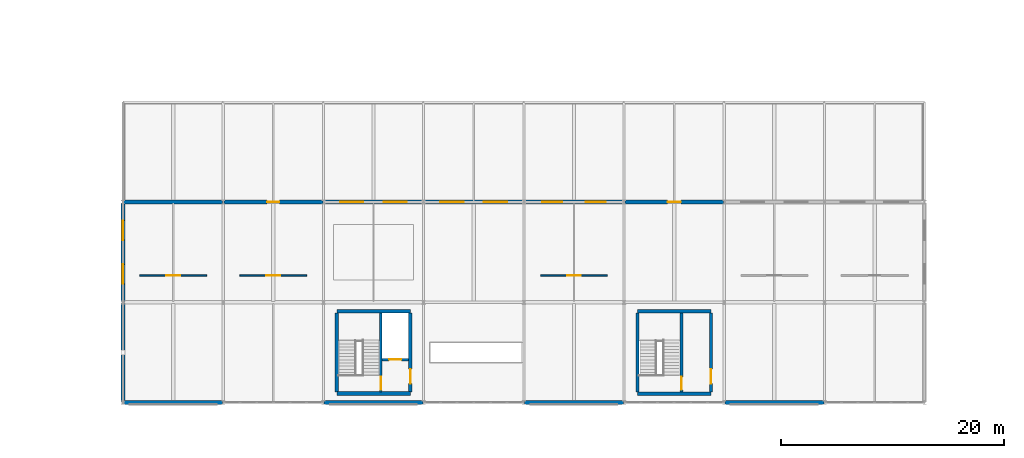
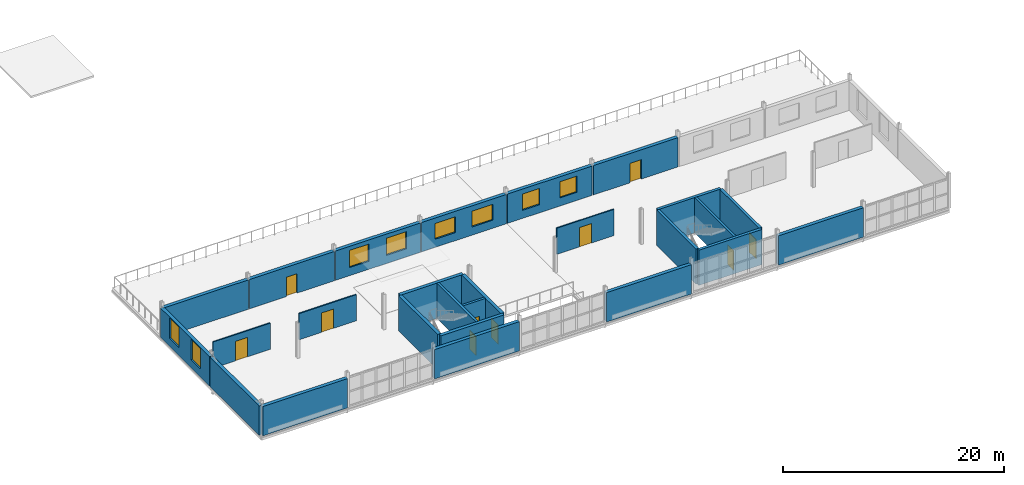
# One storey, part 98 of 123: 26 walls, 10 doors, 8 windows, 18 openings.
"""IFC4 building model written with IfcOpenShell, lengths in metres."""

from ifc_helpers import new_model, si_unit, direction, frame, frame_2d, origin, place, context, subcontext, project, spatial, rectangle, extrude, material, layer, layer_set, type_object, element, fill, save


model = new_model("IFC4")

# Units and contexts
model_context = context("Model", 3, precision=1e-05, world=origin(), true_north=direction((0.0, 1.0)))
body_context = subcontext(model_context, "Body", "Model", "MODEL_VIEW")
ifc_project = project(units=[si_unit("LENGTHUNIT", "METRE"), si_unit("AREAUNIT", "SQUARE_METRE"), si_unit("VOLUMEUNIT", "CUBIC_METRE"), si_unit("PLANEANGLEUNIT", "RADIAN"), si_unit("MASSUNIT", "GRAM", prefix="KILO")], contexts=[model_context])

# Site, building, storey
site_placement = place(None, origin())
site = spatial("IfcSite", under=ifc_project, at=site_placement, CompositionType="ELEMENT")
building_placement = place(site_placement, origin())
building = spatial("IfcBuilding", under=site, at=building_placement, Name="Kildeholm Park Wholesale Market", CompositionType="ELEMENT")
storey_placement = place(building_placement, frame((0.0, 0.0, 9.60009765625)))
storey = spatial("IfcBuildingStorey", under=building, at=storey_placement, Name="L02", CompositionType="ELEMENT", Elevation=9.60009765625)

# Walls
ifc_material_1 = material(Name="Red Danish clinker brick masonry with Concrete C35/45 backing", Category="masonry")
ifc_layer_1 = layer(ifc_material_1, 0.360107421875)
ifc_layer_set_1 = layer_set([ifc_layer_1], Name="Red Danish clinker brick masonry with Concrete C35/45 backing")
wall_type_1 = type_object("IfcWallType", Name="Exterior wall W-EX1 360 mm", PredefinedType="SOLIDWALL", material=ifc_layer_set_1)
for number, where, z_axis, x_axis, name in (
    (1, (9.06005859375, 0.0, 0.0), (0.0, 0.0, 1.0), (1.0, 0.0, 0.0), "Exterior wall V5W-L02-S01.1 WL-0535"),
    (2, (27.06005859375, 0.0, 0.0), (0.0, 0.0, 1.0), (1.0, 0.0, 0.0), "Exterior wall V5W-L02-S03.1 WL-0536"),
    (3, (45.06005859375, 0.0, 0.0), (0.0, 0.0, 1.0), (1.0, 0.0, 0.0), "Exterior wall V5W-L02-S05.1 WL-0537"),
    (4, (63.06005859375, 0.0, 0.0), (0.0, 0.0, 1.0), (1.0, 0.0, 0.0), "Exterior wall V5W-L02-S07.1 WL-0538"),
    (5, (9.06005859375, 18.0, 0.0), (0.0, 0.0, 1.0), (1.0, 0.0, 0.0), "Exterior wall V5W-L02-N.1 WL-0539"),
):
    element("IfcWall", number, at=place(storey_placement, frame(where, z_axis=z_axis, x_axis=x_axis)), inside=storey, type_object=wall_type_1, Name=name, PredefinedType="SOLIDWALL", context=body_context, shape_type="SweptSolid", body=[
        extrude(rectangle(XDim=8.8798828125, YDim=0.360107421875, at=frame_2d((4.43994140625, 0.0))), origin(), (0.0, 0.0, 1.0), 3.25),
    ])

# Wall, opening, door
wall_1_placement = place(storey_placement, frame((18.06005859375, 18.0, 0.0), z_axis=(0.0, 0.0, 1.0), x_axis=(1.0, 0.0, 0.0)))
wall_1 = element("IfcWall", 6, at=wall_1_placement, inside=storey, type_object=wall_type_1, Name="Exterior wall V5W-L02-N.2 WL-0540", PredefinedType="SOLIDWALL", context=body_context, shape_type="SweptSolid", body=[
    extrude(rectangle(XDim=8.8798828125, YDim=0.360107421875, at=frame_2d((4.43994140625, 0.0))), origin(), (0.0, 0.0, 1.0), 3.25),
])
opening_1_placement = place(wall_1_placement, frame((3.889892578125, 0.0, 0.0)))
opening_1 = element("IfcOpeningElement", 7, at=opening_1_placement, cuts=wall_1, Name="Opening D-EX06", PredefinedType="OPENING", context=body_context, shape_type="SweptSolid", body=[
    extrude(rectangle(XDim=1.10009765625, YDim=2.14990234375, at=frame_2d((0.550048828125, 1.074951171875))), frame((0.0, 0.18994140625, 0.0), z_axis=(0.0, -1.0, 0.0), x_axis=(1.0, 0.0, 0.0)), (0.0, 0.0, 1.0), 0.380126953125),
])
ifc_material_2 = material(Name="Anodised aluminium terrace doorset", Category="aluminium")
door_type_1 = type_object("IfcDoorType", Name="Exterior door D-EX06 1100x2150", OperationType="NOTDEFINED", PredefinedType="DOOR", material=ifc_material_2)
door_1_placement = place(opening_1_placement, origin())
door_1 = element("IfcDoor", 8, at=door_1_placement, inside=storey, type_object=door_type_1, Name="Door V5W-L02-N.2 DR-0057 WL-0540", OperationType="SINGLE_SWING_LEFT", OverallHeight=2.14990234375, OverallWidth=1.10009765625, PredefinedType="DOOR", context=body_context, shape_type="SweptSolid", body=[
    extrude(rectangle(XDim=1.10009765625, YDim=2.14990234375, at=frame_2d((0.550048828125, 1.074951171875))), frame((0.0, 0.02490234375, 0.0), z_axis=(0.0, -1.0, 0.0), x_axis=(1.0, 0.0, 0.0)), (0.0, 0.0, 1.0), 0.050048828125),
])
fill(opening_1, door_1)

# Wall, openings, windows
wall_2_placement = place(storey_placement, frame((27.06005859375, 18.0, 0.0), z_axis=(0.0, 0.0, 1.0), x_axis=(1.0, 0.0, 0.0)))
wall_2 = element("IfcWall", 9, at=wall_2_placement, inside=storey, type_object=wall_type_1, Name="Exterior wall V5W-L02-N.3 WL-0541", PredefinedType="SOLIDWALL", context=body_context, shape_type="SweptSolid", body=[
    extrude(rectangle(XDim=8.8798828125, YDim=0.360107421875, at=frame_2d((4.43994140625, 0.0))), origin(), (0.0, 0.0, 1.0), 3.25),
])
opening_2_placement = place(wall_2_placement, frame((1.4609375, 0.0, 0.89990234375)))
opening_2 = element("IfcOpeningElement", 10, at=opening_2_placement, cuts=wall_2, Name="Opening WN-31", PredefinedType="OPENING", context=body_context, shape_type="SweptSolid", body=[
    extrude(rectangle(XDim=2.050048828125, YDim=1.89990234375, at=frame_2d((1.02490234375, 0.949951171875))), frame((0.0, 0.18994140625, 0.0), z_axis=(0.0, -1.0, 0.0), x_axis=(1.0, 0.0, 0.0)), (0.0, 0.0, 1.0), 0.380126953125),
])
opening_3_placement = place(wall_2_placement, frame((5.368896484375, 0.0, 0.89990234375)))
opening_3 = element("IfcOpeningElement", 11, at=opening_3_placement, cuts=wall_2, Name="Opening WN-31", PredefinedType="OPENING", context=body_context, shape_type="SweptSolid", body=[
    extrude(rectangle(XDim=2.050048828125, YDim=1.89990234375, at=frame_2d((1.02490234375, 0.949951171875))), frame((0.0, 0.18994140625, 0.0), z_axis=(0.0, -1.0, 0.0), x_axis=(1.0, 0.0, 0.0)), (0.0, 0.0, 1.0), 0.380126953125),
])
ifc_material_3 = material(Name="Thermally broken aluminium and triple-glazed low-E glass", Category="aluminium")
window_type_1 = type_object("IfcWindowType", Name="Window WN-31 2050x1900", PartitioningType="TRIPLE_PANEL_VERTICAL", PredefinedType="WINDOW", material=ifc_material_3)
window_1_placement = place(opening_2_placement, origin())
window_1 = element("IfcWindow", 12, at=window_1_placement, inside=storey, type_object=window_type_1, Name="Window V5W-L02-N.3.1 WIN-0325", OverallHeight=1.89990234375, OverallWidth=2.050048828125, PartitioningType="SINGLE_PANEL", PredefinedType="WINDOW", context=body_context, shape_type="SweptSolid", body=[
    extrude(rectangle(XDim=2.050048828125, YDim=1.89990234375, at=frame_2d((1.02490234375, 0.949951171875))), frame((0.0, 0.030029296875, 0.0), z_axis=(0.0, -1.0, 0.0), x_axis=(1.0, 0.0, 0.0)), (0.0, 0.0, 1.0), 0.06005859375),
])
fill(opening_2, window_1)
window_2_placement = place(opening_3_placement, origin())
window_2 = element("IfcWindow", 13, at=window_2_placement, inside=storey, type_object=window_type_1, Name="Window V5W-L02-N.3.2 WIN-0326", OverallHeight=1.89990234375, OverallWidth=2.050048828125, PartitioningType="SINGLE_PANEL", PredefinedType="WINDOW", context=body_context, shape_type="SweptSolid", body=[
    extrude(rectangle(XDim=2.050048828125, YDim=1.89990234375, at=frame_2d((1.02490234375, 0.949951171875))), frame((0.0, 0.030029296875, 0.0), z_axis=(0.0, -1.0, 0.0), x_axis=(1.0, 0.0, 0.0)), (0.0, 0.0, 1.0), 0.06005859375),
])
fill(opening_3, window_2)

wall_3_placement = place(storey_placement, frame((36.06005859375, 18.0, 0.0), z_axis=(0.0, 0.0, 1.0), x_axis=(1.0, 0.0, 0.0)))
wall_3 = element("IfcWall", 14, at=wall_3_placement, inside=storey, type_object=wall_type_1, Name="Exterior wall V5W-L02-N.4 WL-0542", PredefinedType="SOLIDWALL", context=body_context, shape_type="SweptSolid", body=[
    extrude(rectangle(XDim=8.8798828125, YDim=0.360107421875, at=frame_2d((4.43994140625, 0.0))), origin(), (0.0, 0.0, 1.0), 3.25),
])
opening_4_placement = place(wall_3_placement, frame((1.410888671875, 0.0, 0.89990234375)))
opening_4 = element("IfcOpeningElement", 15, at=opening_4_placement, cuts=wall_3, Name="Opening WN-32", PredefinedType="OPENING", context=body_context, shape_type="SweptSolid", body=[
    extrude(rectangle(XDim=2.14990234375, YDim=1.75, at=frame_2d((1.074951171875, 0.875))), frame((0.0, 0.18994140625, 0.0), z_axis=(0.0, -1.0, 0.0), x_axis=(1.0, 0.0, 0.0)), (0.0, 0.0, 1.0), 0.380126953125),
])
opening_5_placement = place(wall_3_placement, frame((5.319091796875, 0.0, 0.89990234375)))
opening_5 = element("IfcOpeningElement", 16, at=opening_5_placement, cuts=wall_3, Name="Opening WN-32", PredefinedType="OPENING", context=body_context, shape_type="SweptSolid", body=[
    extrude(rectangle(XDim=2.14990234375, YDim=1.75, at=frame_2d((1.074951171875, 0.875))), frame((0.0, 0.18994140625, 0.0), z_axis=(0.0, -1.0, 0.0), x_axis=(1.0, 0.0, 0.0)), (0.0, 0.0, 1.0), 0.380126953125),
])
window_type_2 = type_object("IfcWindowType", Name="Window WN-32 2150x1750", PartitioningType="TRIPLE_PANEL_VERTICAL", PredefinedType="WINDOW", material=ifc_material_3)
window_3_placement = place(opening_4_placement, origin())
window_3 = element("IfcWindow", 17, at=window_3_placement, inside=storey, type_object=window_type_2, Name="Window V5W-L02-N.4.1 WIN-0327", OverallHeight=1.75, OverallWidth=2.14990234375, PartitioningType="SINGLE_PANEL", PredefinedType="WINDOW", context=body_context, shape_type="SweptSolid", body=[
    extrude(rectangle(XDim=2.14990234375, YDim=1.75, at=frame_2d((1.074951171875, 0.875))), frame((0.0, 0.030029296875, 0.0), z_axis=(0.0, -1.0, 0.0), x_axis=(1.0, 0.0, 0.0)), (0.0, 0.0, 1.0), 0.06005859375),
])
fill(opening_4, window_3)
window_4_placement = place(opening_5_placement, origin())
window_4 = element("IfcWindow", 18, at=window_4_placement, inside=storey, type_object=window_type_2, Name="Window V5W-L02-N.4.2 WIN-0328", OverallHeight=1.75, OverallWidth=2.14990234375, PartitioningType="SINGLE_PANEL", PredefinedType="WINDOW", context=body_context, shape_type="SweptSolid", body=[
    extrude(rectangle(XDim=2.14990234375, YDim=1.75, at=frame_2d((1.074951171875, 0.875))), frame((0.0, 0.030029296875, 0.0), z_axis=(0.0, -1.0, 0.0), x_axis=(1.0, 0.0, 0.0)), (0.0, 0.0, 1.0), 0.06005859375),
])
fill(opening_5, window_4)

wall_4_placement = place(storey_placement, frame((45.06005859375, 18.0, 0.0), z_axis=(0.0, 0.0, 1.0), x_axis=(1.0, 0.0, 0.0)))
wall_4 = element("IfcWall", 19, at=wall_4_placement, inside=storey, type_object=wall_type_1, Name="Exterior wall V5W-L02-N.5 WL-0543", PredefinedType="SOLIDWALL", context=body_context, shape_type="SweptSolid", body=[
    extrude(rectangle(XDim=8.8798828125, YDim=0.360107421875, at=frame_2d((4.43994140625, 0.0))), origin(), (0.0, 0.0, 1.0), 3.25),
])
opening_6_placement = place(wall_4_placement, frame((1.5859375, 0.0, 0.89990234375)))
opening_6 = element("IfcOpeningElement", 20, at=opening_6_placement, cuts=wall_4, Name="Opening WN-07", PredefinedType="OPENING", context=body_context, shape_type="SweptSolid", body=[
    extrude(rectangle(XDim=1.800048828125, YDim=1.800048828125, at=frame_2d((0.89990234375, 0.89990234375))), frame((0.0, 0.18994140625, 0.0), z_axis=(0.0, -1.0, 0.0), x_axis=(1.0, 0.0, 0.0)), (0.0, 0.0, 1.0), 0.380126953125),
])
opening_7_placement = place(wall_4_placement, frame((5.493896484375, 0.0, 0.89990234375)))
opening_7 = element("IfcOpeningElement", 21, at=opening_7_placement, cuts=wall_4, Name="Opening WN-07", PredefinedType="OPENING", context=body_context, shape_type="SweptSolid", body=[
    extrude(rectangle(XDim=1.800048828125, YDim=1.800048828125, at=frame_2d((0.89990234375, 0.89990234375))), frame((0.0, 0.18994140625, 0.0), z_axis=(0.0, -1.0, 0.0), x_axis=(1.0, 0.0, 0.0)), (0.0, 0.0, 1.0), 0.380126953125),
])
window_type_3 = type_object("IfcWindowType", Name="Window WN-07 1800x1800", PartitioningType="DOUBLE_PANEL_VERTICAL", PredefinedType="WINDOW", material=ifc_material_3)
window_5_placement = place(opening_6_placement, origin())
window_5 = element("IfcWindow", 22, at=window_5_placement, inside=storey, type_object=window_type_3, Name="Window V5W-L02-N.5.1 WIN-0329", OverallHeight=1.800048828125, OverallWidth=1.800048828125, PartitioningType="SINGLE_PANEL", PredefinedType="WINDOW", context=body_context, shape_type="SweptSolid", body=[
    extrude(rectangle(XDim=1.800048828125, YDim=1.800048828125, at=frame_2d((0.89990234375, 0.89990234375))), frame((0.0, 0.030029296875, 0.0), z_axis=(0.0, -1.0, 0.0), x_axis=(1.0, 0.0, 0.0)), (0.0, 0.0, 1.0), 0.06005859375),
])
fill(opening_6, window_5)
window_6_placement = place(opening_7_placement, origin())
window_6 = element("IfcWindow", 23, at=window_6_placement, inside=storey, type_object=window_type_3, Name="Window V5W-L02-N.5.2 WIN-0330", OverallHeight=1.800048828125, OverallWidth=1.800048828125, PartitioningType="SINGLE_PANEL", PredefinedType="WINDOW", context=body_context, shape_type="SweptSolid", body=[
    extrude(rectangle(XDim=1.800048828125, YDim=1.800048828125, at=frame_2d((0.89990234375, 0.89990234375))), frame((0.0, 0.030029296875, 0.0), z_axis=(0.0, -1.0, 0.0), x_axis=(1.0, 0.0, 0.0)), (0.0, 0.0, 1.0), 0.06005859375),
])
fill(opening_7, window_6)

# Wall, opening, door
wall_5_placement = place(storey_placement, frame((54.06005859375, 18.0, 0.0), z_axis=(0.0, 0.0, 1.0), x_axis=(1.0, 0.0, 0.0)))
wall_5 = element("IfcWall", 24, at=wall_5_placement, inside=storey, type_object=wall_type_1, Name="Exterior wall V5W-L02-N.6 WL-0544", PredefinedType="SOLIDWALL", context=body_context, shape_type="SweptSolid", body=[
    extrude(rectangle(XDim=8.8798828125, YDim=0.360107421875, at=frame_2d((4.43994140625, 0.0))), origin(), (0.0, 0.0, 1.0), 3.25),
])
opening_8_placement = place(wall_5_placement, frame((3.840087890625, 0.0, 0.0)))
opening_8 = element("IfcOpeningElement", 25, at=opening_8_placement, cuts=wall_5, Name="Opening D-EX11", PredefinedType="OPENING", context=body_context, shape_type="SweptSolid", body=[
    extrude(rectangle(XDim=1.199951171875, YDim=2.14990234375, at=frame_2d((0.60009765625, 1.074951171875))), frame((0.0, 0.18994140625, 0.0), z_axis=(0.0, -1.0, 0.0), x_axis=(1.0, 0.0, 0.0)), (0.0, 0.0, 1.0), 0.380126953125),
])
ifc_material_4 = material(Name="Anodised aluminium terrace leaf door", Category="aluminium")
door_type_2 = type_object("IfcDoorType", Name="Exterior door D-EX11 1200x2150", OperationType="NOTDEFINED", PredefinedType="DOOR", material=ifc_material_4)
door_2_placement = place(opening_8_placement, origin())
door_2 = element("IfcDoor", 26, at=door_2_placement, inside=storey, type_object=door_type_2, Name="Door V5W-L02-N.6 DR-0058 WL-0544", OperationType="SINGLE_SWING_RIGHT", OverallHeight=2.14990234375, OverallWidth=1.199951171875, PredefinedType="DOOR", context=body_context, shape_type="SweptSolid", body=[
    extrude(rectangle(XDim=1.199951171875, YDim=2.14990234375, at=frame_2d((0.60009765625, 1.074951171875))), frame((0.0, 0.02490234375, 0.0), z_axis=(0.0, -1.0, 0.0), x_axis=(1.0, 0.0, 0.0)), (0.0, 0.0, 1.0), 0.050048828125),
])
fill(opening_8, door_2)

# Wall
wall_6_placement = place(storey_placement, frame((9.0, 0.06005859375, 0.0), z_axis=(0.0, 0.0, 1.0), x_axis=(0.0, 1.0, 0.0)))
element("IfcWall", 27, at=wall_6_placement, inside=storey, type_object=wall_type_1, Name="Exterior wall V5W-L02-W.1 WL-0547", PredefinedType="SOLIDWALL", context=body_context, shape_type="SweptSolid", body=[
    extrude(rectangle(XDim=8.8798828125, YDim=0.360107421875, at=frame_2d((4.43994140625, 0.0))), origin(), (0.0, 0.0, 1.0), 3.25),
])

# Wall, openings, windows
wall_7_placement = place(storey_placement, frame((9.0, 9.06005859375, 0.0), z_axis=(0.0, 0.0, 1.0), x_axis=(0.0, 1.0, 0.0)))
wall_7 = element("IfcWall", 28, at=wall_7_placement, inside=storey, type_object=wall_type_1, Name="Exterior wall V5W-L02-W.2 WL-0548", PredefinedType="SOLIDWALL", context=body_context, shape_type="SweptSolid", body=[
    extrude(rectangle(XDim=8.8798828125, YDim=0.360107421875, at=frame_2d((4.43994140625, 0.0))), origin(), (0.0, 0.0, 1.0), 3.25),
])
opening_9_placement = place(wall_7_placement, frame((1.611083984375, 0.0, 0.89990234375)))
opening_9 = element("IfcOpeningElement", 29, at=opening_9_placement, cuts=wall_7, Name="Opening WN-25", PredefinedType="OPENING", context=body_context, shape_type="SweptSolid", body=[
    extrude(rectangle(XDim=1.75, YDim=2.25, at=frame_2d((0.875, 1.125))), frame((0.0, 0.18994140625, 0.0), z_axis=(0.0, -1.0, 0.0), x_axis=(1.0, 0.0, 0.0)), (0.0, 0.0, 1.0), 0.380126953125),
])
opening_10_placement = place(wall_7_placement, frame((5.51904296875, 0.0, 0.89990234375)))
opening_10 = element("IfcOpeningElement", 30, at=opening_10_placement, cuts=wall_7, Name="Opening WN-25", PredefinedType="OPENING", context=body_context, shape_type="SweptSolid", body=[
    extrude(rectangle(XDim=1.75, YDim=2.25, at=frame_2d((0.875, 1.125))), frame((0.0, 0.18994140625, 0.0), z_axis=(0.0, -1.0, 0.0), x_axis=(1.0, 0.0, 0.0)), (0.0, 0.0, 1.0), 0.380126953125),
])
window_type_4 = type_object("IfcWindowType", Name="Window WN-25 1750x2250", PartitioningType="DOUBLE_PANEL_VERTICAL", PredefinedType="WINDOW", material=ifc_material_3)
window_7_placement = place(opening_9_placement, origin())
window_7 = element("IfcWindow", 31, at=window_7_placement, inside=storey, type_object=window_type_4, Name="Window V5W-L02-W.2.1 WIN-0335", OverallHeight=2.25, OverallWidth=1.75, PartitioningType="SINGLE_PANEL", PredefinedType="WINDOW", context=body_context, shape_type="SweptSolid", body=[
    extrude(rectangle(XDim=1.75, YDim=2.25, at=frame_2d((0.875, 1.125))), frame((0.0, 0.030029296875, 0.0), z_axis=(0.0, -1.0, 0.0), x_axis=(1.0, 0.0, 0.0)), (0.0, 0.0, 1.0), 0.06005859375),
])
fill(opening_9, window_7)
window_8_placement = place(opening_10_placement, origin())
window_8 = element("IfcWindow", 32, at=window_8_placement, inside=storey, type_object=window_type_4, Name="Window V5W-L02-W.2.2 WIN-0336", OverallHeight=2.25, OverallWidth=1.75, PartitioningType="SINGLE_PANEL", PredefinedType="WINDOW", context=body_context, shape_type="SweptSolid", body=[
    extrude(rectangle(XDim=1.75, YDim=2.25, at=frame_2d((0.875, 1.125))), frame((0.0, 0.030029296875, 0.0), z_axis=(0.0, -1.0, 0.0), x_axis=(1.0, 0.0, 0.0)), (0.0, 0.0, 1.0), 0.06005859375),
])
fill(opening_10, window_8)

# Wall, opening, door
ifc_material_5 = material(Name="Glazed office and laboratory acoustic partition")
ifc_layer_2 = layer(ifc_material_5, 0.1298828125)
ifc_layer_set_2 = layer_set([ifc_layer_2], Name="Glazed office and laboratory acoustic partition")
wall_type_2 = type_object("IfcWallType", Name="Partition W-PT12 130 mm", PredefinedType="PARTITIONING", material=ifc_layer_set_2)
wall_8_placement = place(storey_placement, frame((10.5, 11.39990234375, 0.0), z_axis=(0.0, 0.0, 1.0), x_axis=(1.0, 0.0, 0.0)))
wall_8 = element("IfcWall", 33, at=wall_8_placement, inside=storey, type_object=wall_type_2, Name="Interior partition W-V5W-L02-C1 WL-1017", PredefinedType="PARTITIONING", context=body_context, shape_type="SweptSolid", body=[
    extrude(rectangle(XDim=6.0, YDim=0.1298828125, at=frame_2d((3.0, 0.0))), origin(), (0.0, 0.0, 1.0), 2.89990234375),
])
opening_11_placement = place(wall_8_placement, frame((2.375, 0.0, 0.0)))
opening_11 = element("IfcOpeningElement", 34, at=opening_11_placement, cuts=wall_8, Name="Opening D-IN04", PredefinedType="OPENING", context=body_context, shape_type="SweptSolid", body=[
    extrude(rectangle(XDim=1.25, YDim=2.14990234375, at=frame_2d((0.625, 1.074951171875))), frame((0.0, 0.074951171875, 0.0), z_axis=(0.0, -1.0, 0.0), x_axis=(1.0, 0.0, 0.0)), (0.0, 0.0, 1.0), 0.14990234375),
])
ifc_material_6 = material(Name="Acoustic glazed laboratory doorset")
door_type_3 = type_object("IfcDoorType", Name="Interior door D-IN04 1250x2150", OperationType="NOTDEFINED", PredefinedType="DOOR", material=ifc_material_6)
door_3_placement = place(opening_11_placement, origin())
door_3 = element("IfcDoor", 35, at=door_3_placement, inside=storey, type_object=door_type_3, Name="Interior door V5W-L02-C1 DR-0292 WL-1017", OperationType="SINGLE_SWING_RIGHT", OverallHeight=2.14990234375, OverallWidth=1.25, PredefinedType="DOOR", context=body_context, shape_type="SweptSolid", body=[
    extrude(rectangle(XDim=1.25, YDim=2.14990234375, at=frame_2d((0.625, 1.074951171875))), frame((0.0, 0.02490234375, 0.0), z_axis=(0.0, -1.0, 0.0), x_axis=(1.0, 0.0, 0.0)), (0.0, 0.0, 1.0), 0.050048828125),
])
fill(opening_11, door_3)

wall_9_placement = place(storey_placement, frame((19.5, 11.39990234375, 0.0), z_axis=(0.0, 0.0, 1.0), x_axis=(1.0, 0.0, 0.0)))
wall_9 = element("IfcWall", 36, at=wall_9_placement, inside=storey, type_object=wall_type_2, Name="Interior partition W-V5W-L02-C2 WL-1018", PredefinedType="PARTITIONING", context=body_context, shape_type="SweptSolid", body=[
    extrude(rectangle(XDim=6.0, YDim=0.1298828125, at=frame_2d((3.0, 0.0))), origin(), (0.0, 0.0, 1.0), 2.89990234375),
])
opening_12_placement = place(wall_9_placement, frame((2.375, 0.0, 0.0)))
opening_12 = element("IfcOpeningElement", 37, at=opening_12_placement, cuts=wall_9, Name="Opening D-IN04", PredefinedType="OPENING", context=body_context, shape_type="SweptSolid", body=[
    extrude(rectangle(XDim=1.25, YDim=2.14990234375, at=frame_2d((0.625, 1.074951171875))), frame((0.0, 0.074951171875, 0.0), z_axis=(0.0, -1.0, 0.0), x_axis=(1.0, 0.0, 0.0)), (0.0, 0.0, 1.0), 0.14990234375),
])
door_4_placement = place(opening_12_placement, origin())
door_4 = element("IfcDoor", 38, at=door_4_placement, inside=storey, type_object=door_type_3, Name="Interior door V5W-L02-C2 DR-0293 WL-1018", OperationType="SINGLE_SWING_LEFT", OverallHeight=2.14990234375, OverallWidth=1.25, PredefinedType="DOOR", context=body_context, shape_type="SweptSolid", body=[
    extrude(rectangle(XDim=1.25, YDim=2.14990234375, at=frame_2d((0.625, 1.074951171875))), frame((0.0, 0.02490234375, 0.0), z_axis=(0.0, -1.0, 0.0), x_axis=(1.0, 0.0, 0.0)), (0.0, 0.0, 1.0), 0.050048828125),
])
fill(opening_12, door_4)

wall_10_placement = place(storey_placement, frame((46.5, 11.39990234375, 0.0), z_axis=(0.0, 0.0, 1.0), x_axis=(1.0, 0.0, 0.0)))
wall_10 = element("IfcWall", 39, at=wall_10_placement, inside=storey, type_object=wall_type_2, Name="Interior partition W-V5W-L02-C5 WL-1019", PredefinedType="PARTITIONING", context=body_context, shape_type="SweptSolid", body=[
    extrude(rectangle(XDim=6.0, YDim=0.1298828125, at=frame_2d((3.0, 0.0))), origin(), (0.0, 0.0, 1.0), 2.89990234375),
])
opening_13_placement = place(wall_10_placement, frame((2.375, 0.0, 0.0)))
opening_13 = element("IfcOpeningElement", 40, at=opening_13_placement, cuts=wall_10, Name="Opening D-IN04", PredefinedType="OPENING", context=body_context, shape_type="SweptSolid", body=[
    extrude(rectangle(XDim=1.25, YDim=2.14990234375, at=frame_2d((0.625, 1.074951171875))), frame((0.0, 0.074951171875, 0.0), z_axis=(0.0, -1.0, 0.0), x_axis=(1.0, 0.0, 0.0)), (0.0, 0.0, 1.0), 0.14990234375),
])
door_5_placement = place(opening_13_placement, origin())
door_5 = element("IfcDoor", 41, at=door_5_placement, inside=storey, type_object=door_type_3, Name="Interior door V5W-L02-C5 DR-0294 WL-1019", OperationType="SINGLE_SWING_RIGHT", OverallHeight=2.14990234375, OverallWidth=1.25, PredefinedType="DOOR", context=body_context, shape_type="SweptSolid", body=[
    extrude(rectangle(XDim=1.25, YDim=2.14990234375, at=frame_2d((0.625, 1.074951171875))), frame((0.0, 0.02490234375, 0.0), z_axis=(0.0, -1.0, 0.0), x_axis=(1.0, 0.0, 0.0)), (0.0, 0.0, 1.0), 0.050048828125),
])
fill(opening_13, door_5)

# Walls
ifc_material_7 = material(Name="Concrete C40/50", Category="concrete")
ifc_layer_3 = layer(ifc_material_7, 0.300048828125)
ifc_layer_set_3 = layer_set([ifc_layer_3], Name="Concrete C40/50")
wall_type_3 = type_object("IfcWallType", Name="Shear wall W-SH1 300 mm", PredefinedType="SHEAR", material=ifc_layer_set_3)
for number, where, z_axis, x_axis, name in (
    (42, (55.199951171875, 0.800048828125, 0.0), (0.0, 0.0, 1.0), (1.0, 0.0, 0.0), "Core C05 south shear wall L02 WL-0738"),
    (43, (55.199951171875, 8.199951171875, 0.0), (0.0, 0.0, 1.0), (1.0, 0.0, 0.0), "Core C05 north shear wall L02 WL-0739"),
):
    element("IfcWall", number, at=place(storey_placement, frame(where, z_axis=z_axis, x_axis=x_axis)), inside=storey, type_object=wall_type_3, Name=name, PredefinedType="SHEAR", context=body_context, shape_type="SweptSolid", body=[
        extrude(rectangle(XDim=6.60009765625, YDim=0.300048828125, at=frame_2d((3.300048828125, 0.0))), origin(), (0.0, 0.0, 1.0), 3.89990234375),
    ])
wall_11_placement = place(storey_placement, frame((55.199951171875, 0.949951171875, 0.0), z_axis=(0.0, 0.0, 1.0), x_axis=(0.0, 1.0, 0.0)))
element("IfcWall", 44, at=wall_11_placement, inside=storey, type_object=wall_type_3, Name="Core C05 west shear wall L02 WL-0740", PredefinedType="SHEAR", context=body_context, shape_type="SweptSolid", body=[
    extrude(rectangle(XDim=7.10009765625, YDim=0.300048828125, at=frame_2d((3.550048828125, 0.0))), origin(), (0.0, 0.0, 1.0), 3.89990234375),
])

# Wall, opening, door
wall_12_placement = place(storey_placement, frame((61.800048828125, 0.949951171875, 0.0), z_axis=(0.0, 0.0, 1.0), x_axis=(0.0, 1.0, 0.0)))
wall_12 = element("IfcWall", 45, at=wall_12_placement, inside=storey, type_object=wall_type_3, Name="Core C05 east shear wall L02 WL-0741", PredefinedType="SHEAR", context=body_context, shape_type="SweptSolid", body=[
    extrude(rectangle(XDim=7.10009765625, YDim=0.300048828125, at=frame_2d((3.550048828125, 0.0))), origin(), (0.0, 0.0, 1.0), 3.89990234375),
])
opening_14_placement = place(wall_12_placement, frame((0.75, 0.0, 0.0)))
opening_14 = element("IfcOpeningElement", 46, at=opening_14_placement, cuts=wall_12, Name="Opening D-CR02", PredefinedType="OPENING", context=body_context, shape_type="SweptSolid", body=[
    extrude(rectangle(XDim=1.300048828125, YDim=2.14990234375, at=frame_2d((0.64990234375, 1.074951171875))), frame((0.0, 0.159912109375, 0.0), z_axis=(0.0, -1.0, 0.0), x_axis=(1.0, 0.0, 0.0)), (0.0, 0.0, 1.0), 0.320068359375),
])
ifc_material_8 = material(Name="Painted steel core lobby double-leaf doorset", Category="steel")
door_type_4 = type_object("IfcDoorType", Name="Interior door D-CR02 1300x2150", OperationType="NOTDEFINED", PredefinedType="DOOR", material=ifc_material_8)
door_6_placement = place(opening_14_placement, frame((1.300048828125, 0.0, 0.0), z_axis=(0.0, 0.0, 1.0), x_axis=(-1.0, 0.0, 0.0)))
door_6 = element("IfcDoor", 47, at=door_6_placement, inside=storey, type_object=door_type_4, Name="Core C05 lobby entrance door L02 DR-0120 WL-0741", OperationType="DOUBLE_DOOR_SINGLE_SWING", OverallHeight=2.14990234375, OverallWidth=1.300048828125, PredefinedType="DOOR", context=body_context, shape_type="SweptSolid", body=[
    extrude(rectangle(XDim=1.300048828125, YDim=2.14990234375, at=frame_2d((0.64990234375, 1.074951171875))), frame((0.0, 0.02490234375, 0.0), z_axis=(0.0, -1.0, 0.0), x_axis=(1.0, 0.0, 0.0)), (0.0, 0.0, 1.0), 0.050048828125),
])
fill(opening_14, door_6)

ifc_layer_4 = layer(ifc_material_7, 0.25)
ifc_layer_set_4 = layer_set([ifc_layer_4], Name="Concrete C40/50")
wall_type_4 = type_object("IfcWallType", Name="Shear wall W-SH2 250 mm", PredefinedType="SHEAR", material=ifc_layer_set_4)
wall_13_placement = place(storey_placement, frame((32.14990234375, 0.949951171875, 0.0), z_axis=(0.0, 0.0, 1.0), x_axis=(0.0, 1.0, 0.0)))
wall_13 = element("IfcWall", 48, at=wall_13_placement, inside=storey, type_object=wall_type_4, Name="Core C04 shaft wall L02 WL-0720", PredefinedType="SHEAR", context=body_context, shape_type="SweptSolid", body=[
    extrude(rectangle(XDim=7.10009765625, YDim=0.25, at=frame_2d((3.550048828125, 0.0))), origin(), (0.0, 0.0, 1.0), 3.89990234375),
])
opening_15_placement = place(wall_13_placement, frame((0.199951171875, 0.0, 0.0)))
opening_15 = element("IfcOpeningElement", 49, at=opening_15_placement, cuts=wall_13, Name="Opening D-CR01", PredefinedType="OPENING", context=body_context, shape_type="SweptSolid", body=[
    extrude(rectangle(XDim=1.14990234375, YDim=2.14990234375, at=frame_2d((0.574951171875, 1.074951171875))), frame((0.0, 0.135009765625, 0.0), z_axis=(0.0, -1.0, 0.0), x_axis=(1.0, 0.0, 0.0)), (0.0, 0.0, 1.0), 0.27001953125),
])
ifc_material_9 = material(Name="Painted steel fire escape doorset", Category="steel")
door_type_5 = type_object("IfcDoorType", Name="Interior door D-CR01 1150x2150", OperationType="NOTDEFINED", PredefinedType="DOOR", material=ifc_material_9)
door_7_placement = place(opening_15_placement, frame((1.14990234375, 0.0, 0.0), z_axis=(0.0, 0.0, 1.0), x_axis=(-1.0, 0.0, 0.0)))
door_7 = element("IfcDoor", 50, at=door_7_placement, inside=storey, type_object=door_type_5, Name="Core C04 stair fire door L02 DR-0110 WL-0720", OperationType="SINGLE_SWING_LEFT", OverallHeight=2.14990234375, OverallWidth=1.14990234375, PredefinedType="DOOR", context=body_context, shape_type="SweptSolid", body=[
    extrude(rectangle(XDim=1.14990234375, YDim=2.14990234375, at=frame_2d((0.574951171875, 1.074951171875))), frame((0.0, 0.02490234375, 0.0), z_axis=(0.0, -1.0, 0.0), x_axis=(1.0, 0.0, 0.0)), (0.0, 0.0, 1.0), 0.050048828125),
])
fill(opening_15, door_7)

wall_14_placement = place(storey_placement, frame((32.27001953125, 3.85009765625, 0.0), z_axis=(0.0, 0.0, 1.0), x_axis=(1.0, 0.0, 0.0)))
wall_14 = element("IfcWall", 51, at=wall_14_placement, inside=storey, type_object=wall_type_4, Name="Lift LF-01 shaft front wall L02 WL-0721", PredefinedType="SHEAR", context=body_context, shape_type="SweptSolid", body=[
    extrude(rectangle(XDim=2.3798828125, YDim=0.25, at=frame_2d((1.18994140625, 0.0))), origin(), (0.0, 0.0, 1.0), 3.89990234375),
])
opening_16_placement = place(wall_14_placement, frame((0.639892578125, 0.0, 0.0)))
opening_16 = element("IfcOpeningElement", 52, at=opening_16_placement, cuts=wall_14, Name="Opening LD-01", PredefinedType="OPENING", context=body_context, shape_type="SweptSolid", body=[
    extrude(rectangle(XDim=1.10009765625, YDim=2.14990234375, at=frame_2d((0.550048828125, 1.074951171875))), frame((0.0, 0.135009765625, 0.0), z_axis=(0.0, -1.0, 0.0), x_axis=(1.0, 0.0, 0.0)), (0.0, 0.0, 1.0), 0.27001953125),
])
ifc_material_10 = material(Name="Stainless steel AISI 316 passenger lift landing door", Category="steel")
door_type_6 = type_object("IfcDoorType", Name="Interior door D-LD01 1100x2150", OperationType="NOTDEFINED", PredefinedType="DOOR", material=ifc_material_10)
door_8_placement = place(opening_16_placement, origin())
door_8 = element("IfcDoor", 53, at=door_8_placement, inside=storey, type_object=door_type_6, Name="Lift LF-01 sliding landing door L02 DR-0111 WL-0721", OperationType="SLIDING_TO_LEFT", OverallHeight=2.14990234375, OverallWidth=1.10009765625, PredefinedType="DOOR", context=body_context, shape_type="SweptSolid", body=[
    extrude(rectangle(XDim=1.10009765625, YDim=2.14990234375, at=frame_2d((0.550048828125, 1.074951171875))), frame((0.0, 0.02490234375, 0.0), z_axis=(0.0, -1.0, 0.0), x_axis=(1.0, 0.0, 0.0)), (0.0, 0.0, 1.0), 0.050048828125),
])
fill(opening_16, door_8)

wall_15_placement = place(storey_placement, frame((59.14990234375, 0.949951171875, 0.0), z_axis=(0.0, 0.0, 1.0), x_axis=(0.0, 1.0, 0.0)))
wall_15 = element("IfcWall", 54, at=wall_15_placement, inside=storey, type_object=wall_type_4, Name="Core C05 shaft wall L02 WL-0742", PredefinedType="SHEAR", context=body_context, shape_type="SweptSolid", body=[
    extrude(rectangle(XDim=7.10009765625, YDim=0.25, at=frame_2d((3.550048828125, 0.0))), origin(), (0.0, 0.0, 1.0), 3.89990234375),
])
opening_17_placement = place(wall_15_placement, frame((0.199951171875, 0.0, 0.0)))
opening_17 = element("IfcOpeningElement", 55, at=opening_17_placement, cuts=wall_15, Name="Opening D-CR01", PredefinedType="OPENING", context=body_context, shape_type="SweptSolid", body=[
    extrude(rectangle(XDim=1.14990234375, YDim=2.14990234375, at=frame_2d((0.574951171875, 1.074951171875))), frame((0.0, 0.135009765625, 0.0), z_axis=(0.0, -1.0, 0.0), x_axis=(1.0, 0.0, 0.0)), (0.0, 0.0, 1.0), 0.27001953125),
])
door_9_placement = place(opening_17_placement, frame((1.14990234375, 0.0, 0.0), z_axis=(0.0, 0.0, 1.0), x_axis=(-1.0, 0.0, 0.0)))
door_9 = element("IfcDoor", 56, at=door_9_placement, inside=storey, type_object=door_type_5, Name="Core C05 stair fire door L02 DR-0121 WL-0742", OperationType="SINGLE_SWING_LEFT", OverallHeight=2.14990234375, OverallWidth=1.14990234375, PredefinedType="DOOR", context=body_context, shape_type="SweptSolid", body=[
    extrude(rectangle(XDim=1.14990234375, YDim=2.14990234375, at=frame_2d((0.574951171875, 1.074951171875))), frame((0.0, 0.02490234375, 0.0), z_axis=(0.0, -1.0, 0.0), x_axis=(1.0, 0.0, 0.0)), (0.0, 0.0, 1.0), 0.050048828125),
])
fill(opening_17, door_9)

# Walls
ifc_layer_5 = layer(ifc_material_7, 0.35009765625)
ifc_layer_set_5 = layer_set([ifc_layer_5], Name="Concrete C40/50")
wall_type_5 = type_object("IfcWallType", Name="Shear wall W-SH3 350 mm", PredefinedType="SHEAR", material=ifc_layer_set_5)
for number, where, z_axis, x_axis, name in (
    (57, (28.199951171875, 0.800048828125, 0.0), (0.0, 0.0, 1.0), (1.0, 0.0, 0.0), "Core C04 south shear wall L02 WL-0716"),
    (58, (28.199951171875, 8.199951171875, 0.0), (0.0, 0.0, 1.0), (1.0, 0.0, 0.0), "Core C04 north shear wall L02 WL-0717"),
):
    element("IfcWall", number, at=place(storey_placement, frame(where, z_axis=z_axis, x_axis=x_axis)), inside=storey, type_object=wall_type_5, Name=name, PredefinedType="SHEAR", context=body_context, shape_type="SweptSolid", body=[
        extrude(rectangle(XDim=6.60009765625, YDim=0.35009765625, at=frame_2d((3.300048828125, 0.0))), origin(), (0.0, 0.0, 1.0), 3.89990234375),
    ])
wall_16_placement = place(storey_placement, frame((28.199951171875, 0.949951171875, 0.0), z_axis=(0.0, 0.0, 1.0), x_axis=(0.0, 1.0, 0.0)))
element("IfcWall", 59, at=wall_16_placement, inside=storey, type_object=wall_type_5, Name="Core C04 west shear wall L02 WL-0718", PredefinedType="SHEAR", context=body_context, shape_type="SweptSolid", body=[
    extrude(rectangle(XDim=7.10009765625, YDim=0.35009765625, at=frame_2d((3.550048828125, 0.0))), origin(), (0.0, 0.0, 1.0), 3.89990234375),
])

# Wall, opening, door
wall_17_placement = place(storey_placement, frame((34.800048828125, 0.949951171875, 0.0), z_axis=(0.0, 0.0, 1.0), x_axis=(0.0, 1.0, 0.0)))
wall_17 = element("IfcWall", 60, at=wall_17_placement, inside=storey, type_object=wall_type_5, Name="Core C04 east shear wall L02 WL-0719", PredefinedType="SHEAR", context=body_context, shape_type="SweptSolid", body=[
    extrude(rectangle(XDim=7.10009765625, YDim=0.35009765625, at=frame_2d((3.550048828125, 0.0))), origin(), (0.0, 0.0, 1.0), 3.89990234375),
])
opening_18_placement = place(wall_17_placement, frame((0.75, 0.0, 0.0)))
opening_18 = element("IfcOpeningElement", 61, at=opening_18_placement, cuts=wall_17, Name="Opening D-CR02", PredefinedType="OPENING", context=body_context, shape_type="SweptSolid", body=[
    extrude(rectangle(XDim=1.300048828125, YDim=2.14990234375, at=frame_2d((0.64990234375, 1.074951171875))), frame((0.0, 0.18505859375, 0.0), z_axis=(0.0, -1.0, 0.0), x_axis=(1.0, 0.0, 0.0)), (0.0, 0.0, 1.0), 0.3701171875),
])
door_10_placement = place(opening_18_placement, frame((1.300048828125, 0.0, 0.0), z_axis=(0.0, 0.0, 1.0), x_axis=(-1.0, 0.0, 0.0)))
door_10 = element("IfcDoor", 62, at=door_10_placement, inside=storey, type_object=door_type_4, Name="Core C04 lobby entrance door L02 DR-0109 WL-0719", OperationType="DOUBLE_DOOR_SINGLE_SWING", OverallHeight=2.14990234375, OverallWidth=1.300048828125, PredefinedType="DOOR", context=body_context, shape_type="SweptSolid", body=[
    extrude(rectangle(XDim=1.300048828125, YDim=2.14990234375, at=frame_2d((0.64990234375, 1.074951171875))), frame((0.0, 0.02490234375, 0.0), z_axis=(0.0, -1.0, 0.0), x_axis=(1.0, 0.0, 0.0)), (0.0, 0.0, 1.0), 0.050048828125),
])
fill(opening_18, door_10)

save(model, "model.ifc")
